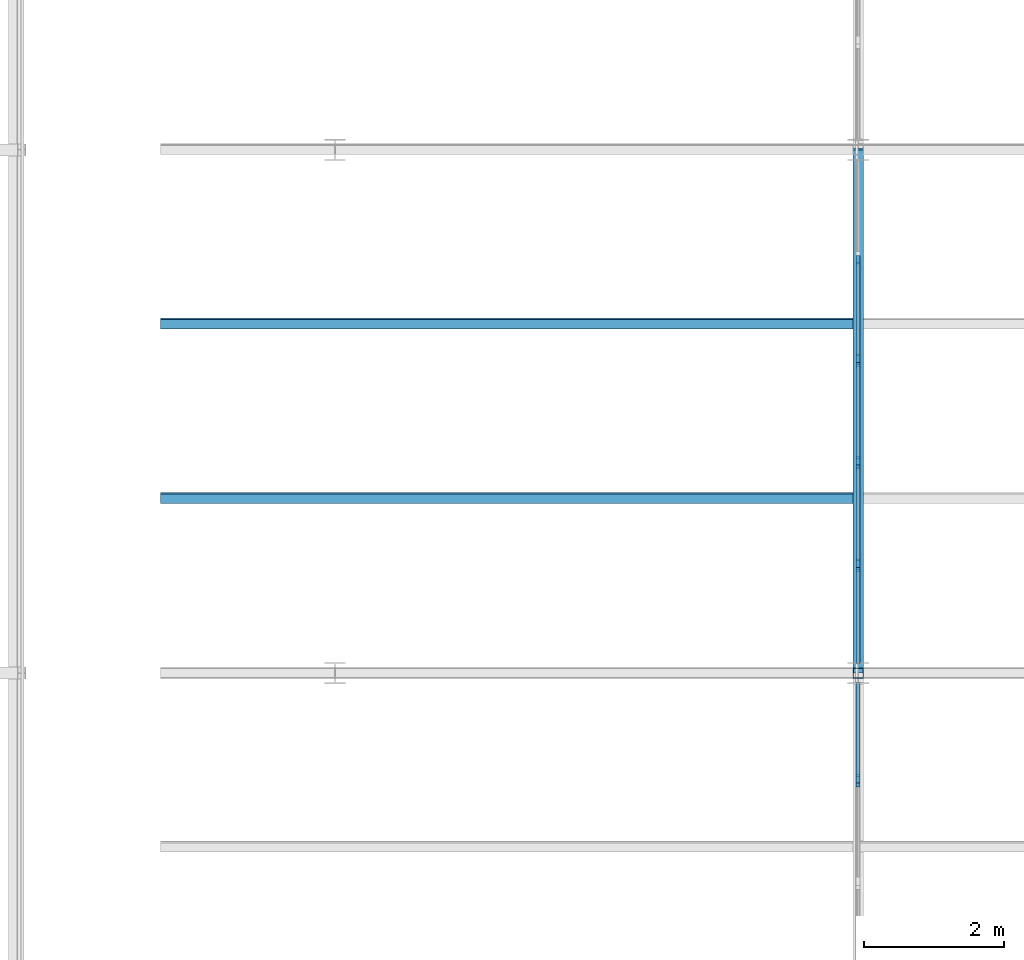
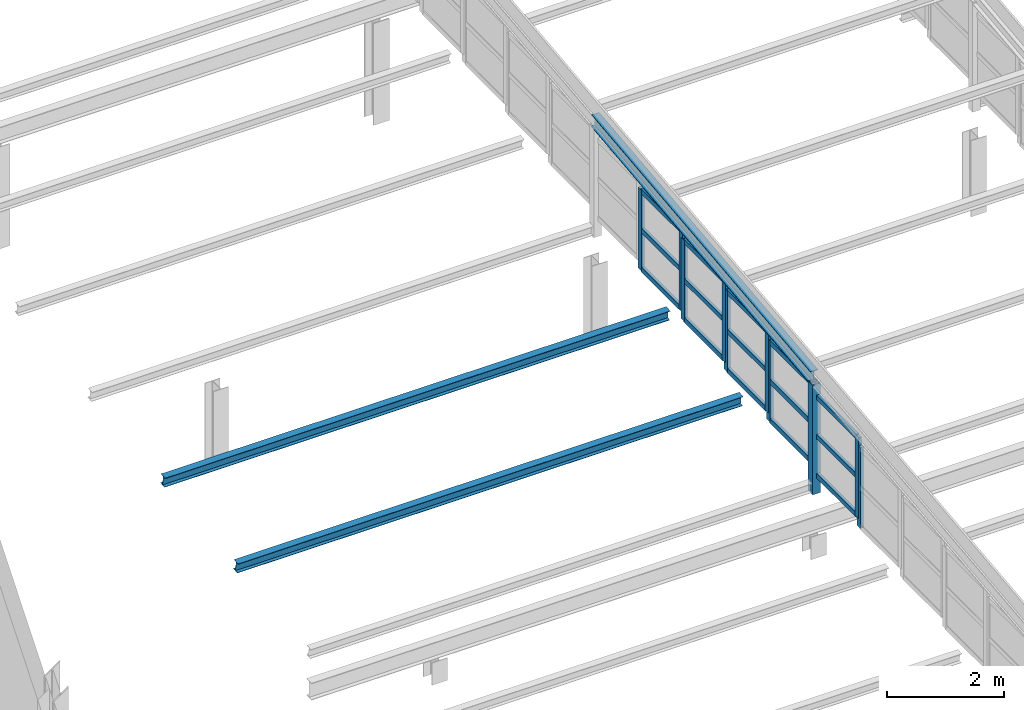
# One storey, part 54 of 483: 27 members, 1 beam, 6 elements without a shape of their own.
"""IFC4 building model written with IfcOpenShell, lengths in metres."""

import ifcopenshell
import ifcopenshell.guid

model = None  # the IFC model being written
_history = None  # IfcOwnerHistory: only IFC2X3 demands one
_inside = {}  # id of a spatial element -> (the spatial element, [elements in it])
_under = {}  # id of a project, library or spatial element -> (it, [spatial elements below it])
_declared = {}  # id of a project -> (the project, [libraries it declares])
_typed = {}  # id of a type object -> (the type object, [elements of that type])
_made_of = {}  # id of a material, layer set ... -> (it, [elements and type objects made of it])


def new_model(schema):
    """Start an empty IFC model of exactly this schema.

    Asked for "IFC4X3", IfcOpenShell would pick the latest addendum, in which some entities
    have other attributes; the version numbers below select the first issue.
    IFC2X3 requires an IfcOwnerHistory on every rooted entity: one is made here for all.
    """
    global model, _history
    if schema == "IFC4X3":
        model = ifcopenshell.file(schema_version=(4, 3, 0, 0))
    else:
        model = ifcopenshell.file(schema=schema)
    _inside.clear()
    _under.clear()
    _declared.clear()
    _typed.clear()
    _made_of.clear()
    _history = None
    if model.schema == "IFC2X3":
        org = make("IfcOrganization", Name="unknown")
        user = make(
            "IfcPersonAndOrganization",
            ThePerson=make("IfcPerson", FamilyName="unknown"),
            TheOrganization=org,
        )
        app = make(
            "IfcApplication",
            ApplicationDeveloper=org,
            Version="unknown",
            ApplicationFullName="unknown",
            ApplicationIdentifier="unknown",
        )
        _history = make(
            "IfcOwnerHistory",
            OwningUser=user,
            OwningApplication=app,
            ChangeAction="ADDED",
            CreationDate=0,
        )
    return model


def make(cls, **values):
    """One entity of the class cls with the attributes given. An attribute that is None is left unset."""
    return model.create_entity(
        cls, **{name: value for name, value in values.items() if value is not None}
    )


def rooted(cls, **values):
    """An entity with a GlobalId (a new one), such as an element, a storey or a relation."""
    return make(cls, GlobalId=ifcopenshell.guid.new(), OwnerHistory=_history, **values)


def si_unit(unit_type, name, prefix=None):
    """IfcSIUnit, for example si_unit("LENGTHUNIT", "METRE", prefix="MILLI")."""
    return make("IfcSIUnit", UnitType=unit_type, Prefix=prefix, Name=name)


def assignment(units):
    """IfcUnitAssignment: the units of a project."""
    return None if units is None else make("IfcUnitAssignment", Units=units)


def point(xyz):
    """IfcCartesianPoint."""
    return None if xyz is None else make("IfcCartesianPoint", Coordinates=xyz)


def direction(xyz):
    """IfcDirection."""
    return None if xyz is None else make("IfcDirection", DirectionRatios=xyz)


def frame(location, z_axis=None, x_axis=None):
    """IfcAxis2Placement3D, a coordinate frame: its origin and axes. An axis left out is left unset."""
    return make(
        "IfcAxis2Placement3D",
        Location=point(location),
        Axis=direction(z_axis),
        RefDirection=direction(x_axis),
    )


def frame_2d(location, x_axis=None):
    """IfcAxis2Placement2D, a coordinate frame in the plane: its origin and x axis."""
    return make(
        "IfcAxis2Placement2D", Location=point(location), RefDirection=direction(x_axis)
    )


def origin():
    """The frame at (0, 0, 0) with its axes left unset."""
    return frame((0.0, 0.0, 0.0))


def origin_2d():
    """The frame at (0, 0) in the plane with its x axis left unset."""
    return frame_2d((0.0, 0.0))


def place(relative_to, where):
    """IfcLocalPlacement: puts the frame where relative to a parent placement (None: the world)."""
    return make(
        "IfcLocalPlacement", PlacementRelTo=relative_to, RelativePlacement=where
    )


def context(
    kind, dimensions, precision=None, world=None, true_north=None, identifier=None
):
    """IfcGeometricRepresentationContext, for example the 3D "Model" context."""
    return make(
        "IfcGeometricRepresentationContext",
        ContextIdentifier=identifier,
        ContextType=kind,
        CoordinateSpaceDimension=dimensions,
        Precision=precision,
        WorldCoordinateSystem=world,
        TrueNorth=true_north,
    )


def subcontext(parent, identifier, kind, view, scale=None):
    """IfcGeometricRepresentationSubContext, for example "Body" below "Model"."""
    return make(
        "IfcGeometricRepresentationSubContext",
        ContextIdentifier=identifier,
        ContextType=kind,
        ParentContext=parent,
        TargetScale=scale,
        TargetView=view,
    )


def project(units=None, contexts=None):
    """IfcProject with its units and contexts."""
    return rooted(
        "IfcProject",
        Name="project",
        RepresentationContexts=contexts,
        UnitsInContext=assignment(units),
    )


def spatial(cls, under=None, at=None, **own):
    """A site, building, storey or space (cls), placed at a placement, below another one or the project."""
    s = rooted(cls, ObjectPlacement=at, **own)
    if under is not None:
        _under.setdefault(under.id(), (under, []))[1].append(s)
    return s


def profile(cls, at=None, kind="AREA", **sizes):
    """A parametric profile (cls). Its sizes go by their IFC names, for example OverallWidth=200.0."""
    return make(cls, ProfileType=kind, Position=at, **sizes)


def rectangle(**sizes):
    """IfcRectangleProfileDef."""
    return profile("IfcRectangleProfileDef", **sizes)


def hollow_rectangle(**sizes):
    """IfcRectangleHollowProfileDef."""
    return profile("IfcRectangleHollowProfileDef", **sizes)


def i_section(**sizes):
    """IfcIShapeProfileDef."""
    return profile("IfcIShapeProfileDef", **sizes)


def extrude(swept, where, along, depth):
    """IfcExtrudedAreaSolid: the profile swept, set in the frame where, extruded along a direction by depth."""
    return make(
        "IfcExtrudedAreaSolid",
        SweptArea=swept,
        Position=where,
        ExtrudedDirection=direction(along),
        Depth=depth,
    )


def shape(context_of_items, identifier, shape_type, items):
    """IfcShapeRepresentation: the items that make up one representation, for example the "Body"."""
    return make(
        "IfcShapeRepresentation",
        ContextOfItems=context_of_items,
        RepresentationIdentifier=identifier,
        RepresentationType=shape_type,
        Items=items,
    )


def material(Name=None, Category=None):
    """IfcMaterial."""
    return make("IfcMaterial", Name=Name, Category=Category)


def material_profile(
    of_material, cross_section, Name=None, Category=None, Priority=None
):
    """IfcMaterialProfile: a cross section and its material."""
    return make(
        "IfcMaterialProfile",
        Name=Name,
        Material=of_material,
        Profile=cross_section,
        Priority=Priority,
        Category=Category,
    )


def profile_set(profiles, Name=None, composite=None):
    """IfcMaterialProfileSet."""
    return make(
        "IfcMaterialProfileSet",
        Name=Name,
        MaterialProfiles=profiles,
        CompositeProfile=composite,
    )


def made_of(thing, what):
    """Note that an element or type object is made of a material, layer set ...; save() writes the relation."""
    if what is not None:
        _made_of.setdefault(what.id(), (what, []))[1].append(thing)
    return thing


def type_object(cls, material=None, **own):
    """A type object (cls), such as IfcWallType, which elements share."""
    return made_of(rooted(cls, **own), material)


def element(
    cls,
    number,
    at=None,
    inside=None,
    cuts=None,
    type_object=None,
    material=None,
    context=None,
    identifier="Body",
    shape_type=None,
    held_by="IfcProductDefinitionShape",
    body=None,
    shapes=None,
    **own,
):
    """One element of the class cls, such as IfcWall. Its Tag is "e" and its number.

    at: its placement. inside: the storey or other place that contains it. cuts: it is an
    opening in that element (IfcRelVoidsElement). A single representation is given by context,
    identifier, shape_type and body (its items); several are given by shapes. held_by: the class
    of the entity that holds the representations. save() writes the other relations.
    """
    e = rooted(cls, Tag="e%d" % number, ObjectPlacement=at, **own)
    if body is not None:
        shapes = [shape(context, identifier, shape_type, body)]
    if shapes is not None:
        e.Representation = make(held_by, Representations=shapes)
    if inside is not None:
        _inside.setdefault(inside.id(), (inside, []))[1].append(e)
    if cuts is not None:
        rooted(
            "IfcRelVoidsElement", RelatingBuildingElement=cuts, RelatedOpeningElement=e
        )
    if type_object is not None:
        _typed.setdefault(type_object.id(), (type_object, []))[1].append(e)
    return made_of(e, material)


def aggregate(whole, parts):
    """IfcRelAggregates: a whole, such as a stair, and the parts it consists of."""
    return rooted("IfcRelAggregates", RelatingObject=whole, RelatedObjects=parts)


def save(model, path):
    """Write the relations noted so far, then the file.

    IfcRelAggregates (storeys below a building ...), IfcRelContainedInSpatialStructure (elements
    in a storey), IfcRelDefinesByType, IfcRelAssociatesMaterial and IfcRelDeclares: one each for
    every whole, place, type object, material and project.
    """
    for whole, parts in _under.values():
        aggregate(whole, parts)
    for where, things in _inside.values():
        rooted(
            "IfcRelContainedInSpatialStructure",
            RelatedElements=things,
            RelatingStructure=where,
        )
    for kind, things in _typed.values():
        rooted("IfcRelDefinesByType", RelatedObjects=things, RelatingType=kind)
    for what, things in _made_of.values():
        rooted("IfcRelAssociatesMaterial", RelatedObjects=things, RelatingMaterial=what)
    for by, libraries in _declared.values():
        rooted("IfcRelDeclares", RelatingContext=by, RelatedDefinitions=libraries)
    model.write(path)


model = new_model("IFC4")

# Units and contexts
model_context = context("Model", 3, precision=1e-05, world=origin(), true_north=direction((0.0, 1.0)))
body_context = subcontext(model_context, "Body", "Model", "MODEL_VIEW")
ifc_project = project(units=[si_unit("LENGTHUNIT", "METRE"), si_unit("AREAUNIT", "SQUARE_METRE"), si_unit("VOLUMEUNIT", "CUBIC_METRE"), si_unit("PLANEANGLEUNIT", "RADIAN"), si_unit("MASSUNIT", "GRAM", prefix="KILO")], contexts=[model_context])

# Site, building, storey
site_placement = place(None, origin())
site = spatial("IfcSite", under=ifc_project, at=site_placement, CompositionType="ELEMENT")
building_placement = place(site_placement, origin())
building = spatial("IfcBuilding", under=site, at=building_placement, Name="Parallax Yard Mobility Hub", CompositionType="ELEMENT")
storey_placement = place(building_placement, frame((0.0, 0.0, 13.199951171875)))
storey = spatial("IfcBuildingStorey", under=building, at=storey_placement, Name="L04", CompositionType="ELEMENT", Elevation=13.199951171875)

# Beam
ifc_material_1 = material(Name="Steel ASTM A992", Category="steel")
ifc_material_profile_1 = material_profile(ifc_material_1, i_section(OverallWidth=0.14794921875, OverallDepth=0.26611328125, WebThickness=0.007568359375, FlangeThickness=0.012939453125, at=origin_2d()), Name="W250x45")
ifc_profile_set_1 = profile_set([ifc_material_profile_1], Name="Steel ASTM A992")
beam_type = type_object("IfcBeamType", Name="Monitor girder W250x45", PredefinedType="BEAM", material=ifc_profile_set_1)
beam_placement = place(storey_placement, frame((157.5, 22.5146484375, 3.68310546875), z_axis=(0.0, 0.993884918264, 0.110420873243), x_axis=(-1.0, 0.0, 0.0)))
element("IfcBeam", 1, at=beam_placement, inside=storey, type_object=beam_type, Name="Monitor girder at x 157.5 bay 3", PredefinedType="BEAM", context=body_context, shape_type="SweptSolid", body=[
    extrude(i_section(OverallWidth=0.14794921875, OverallDepth=0.26611328125, WebThickness=0.007568359375, FlangeThickness=0.012939453125, at=origin_2d()), origin(), (0.0, 0.0, 1.0), 7.546142578125),
])

# Member
ifc_material_2 = material(Name="Steel ASTM A500 Gr C", Category="steel")
ifc_material_profile_2 = material_profile(ifc_material_2, hollow_rectangle(XDim=0.15234375, YDim=0.15234375, WallThickness=0.009521484375, at=origin_2d()), Name="HSS152x152x9.5")
ifc_profile_set_2 = profile_set([ifc_material_profile_2], Name="Steel ASTM A500 Gr C")
member_type_1 = type_object("IfcMemberType", Name="Monitor post HSS152x152x9.5", PredefinedType="POST", material=ifc_profile_set_2)
member_1_placement = place(storey_placement, frame((157.5, 22.5, 1.283935546875), z_axis=(0.0, 0.0, 1.0), x_axis=(1.0, 0.0, 0.0)))
element("IfcMember", 2, at=member_1_placement, inside=storey, type_object=member_type_1, Name="Monitor post at x 157.5 y 22.5", PredefinedType="POST", context=body_context, shape_type="SweptSolid", body=[
    extrude(hollow_rectangle(XDim=0.15234375, YDim=0.15234375, WallThickness=0.009521484375, at=origin_2d()), origin(), (0.0, 0.0, 1.0), 2.29541015625),
])

# Curtain wall, member
ifc_material_3 = material(Name="Thermally broken aluminium curtain wall system", Category="aluminium")
curtain_wall_type = type_object("IfcCurtainWallType", Name="Clerestory glazing run 60 x 120 frame", PredefinedType="NOTDEFINED", material=ifc_material_3)
curtain_wall_1_placement = place(storey_placement, origin())
curtain_wall_1 = element("IfcCurtainWall", 3, at=curtain_wall_1_placement, inside=storey, type_object=curtain_wall_type, Name="Clerestory glazing run Bicycle and shared-mobility hall roof step 1 bay 2 level L02", PredefinedType="NOTDEFINED")
ifc_material_4 = material(Name="Extruded aluminium", Category="aluminium")
ifc_material_profile_3 = material_profile(ifc_material_4, rectangle(XDim=0.06005859375, YDim=0.1201171875, at=origin_2d()), Name="Mullion 60 x 120")
ifc_profile_set_3 = profile_set([ifc_material_profile_3], Name="Extruded aluminium")
member_type_2 = type_object("IfcMemberType", Name="Mullion 60 x 120", PredefinedType="MULLION", material=ifc_profile_set_3)
member_2_placement = place(storey_placement, frame((157.5, 20.92431640625, 1.511474609375), z_axis=(0.0, 0.0, 1.0), x_axis=(-1.0, 0.0, 0.0)))
member_2 = element("IfcMember", 4, at=member_2_placement, type_object=member_type_2, Name="CW4 mullion 2", PredefinedType="MULLION", context=body_context, shape_type="SweptSolid", body=[
    extrude(rectangle(XDim=0.06005859375, YDim=0.1201171875, at=origin_2d()), origin(), (0.0, 0.0, 1.0), 1.693359375),
])
aggregate(curtain_wall_1, [member_2])

curtain_wall_2_placement = place(storey_placement, origin())
curtain_wall_2 = element("IfcCurtainWall", 5, at=curtain_wall_2_placement, inside=storey, type_object=curtain_wall_type, Name="Clerestory glazing run Bicycle and shared-mobility hall roof step 1 bay 2 level L02", PredefinedType="NOTDEFINED")
member_3_placement = place(storey_placement, frame((157.5, 20.984375, 1.6748046875), z_axis=(0.0, 0.0, 1.0), x_axis=(-1.0, 0.0, 0.0)))
member_3 = element("IfcMember", 6, at=member_3_placement, type_object=member_type_2, Name="CW4 mullion 1", PredefinedType="MULLION", context=body_context, shape_type="SweptSolid", body=[
    extrude(rectangle(XDim=0.06005859375, YDim=0.1201171875, at=origin_2d()), origin(), (0.0, 0.0, 1.0), 1.696533203125),
])

curtain_wall_3_placement = place(storey_placement, origin())
curtain_wall_3 = element("IfcCurtainWall", 7, at=curtain_wall_3_placement, inside=storey, type_object=curtain_wall_type, Name="Clerestory glazing run Bicycle and shared-mobility hall roof step 1 bay 3 level L02", PredefinedType="NOTDEFINED")
member_4_placement = place(storey_placement, frame((157.5, 24.015625, 1.85498046875), z_axis=(0.0, 0.0, 1.0), x_axis=(-1.0, 0.0, 0.0)))
member_4 = element("IfcMember", 8, at=member_4_placement, type_object=member_type_2, Name="CW4 mullion 2", PredefinedType="MULLION", context=body_context, shape_type="SweptSolid", body=[
    extrude(rectangle(XDim=0.06005859375, YDim=0.1201171875, at=origin_2d()), origin(), (0.0, 0.0, 1.0), 1.6943359375),
])

# Curtain wall, members
curtain_wall_4_placement = place(storey_placement, origin())
curtain_wall_4 = element("IfcCurtainWall", 9, at=curtain_wall_4_placement, inside=storey, type_object=curtain_wall_type, Name="Clerestory glazing run Bicycle and shared-mobility hall roof step 1 bay 3 level L02", PredefinedType="NOTDEFINED")
member_5_placement = place(storey_placement, frame((157.5, 24.07568359375, 2.018310546875), z_axis=(0.0, 0.0, 1.0), x_axis=(-1.0, 0.0, 0.0)))
member_5 = element("IfcMember", 10, at=member_5_placement, type_object=member_type_2, Name="CW4 mullion 1", PredefinedType="MULLION", context=body_context, shape_type="SweptSolid", body=[
    extrude(rectangle(XDim=0.06005859375, YDim=0.1201171875, at=origin_2d()), origin(), (0.0, 0.0, 1.0), 1.697509765625),
])
member_6_placement = place(storey_placement, frame((157.5, 25.485107421875, 2.018310546875), z_axis=(0.0, 0.0, 1.0), x_axis=(-1.0, 0.0, 0.0)))
member_6 = element("IfcMember", 11, at=member_6_placement, type_object=member_type_2, Name="CW4 mullion 2", PredefinedType="MULLION", context=body_context, shape_type="SweptSolid", body=[
    extrude(rectangle(XDim=0.06005859375, YDim=0.1201171875, at=origin_2d()), origin(), (0.0, 0.0, 1.0), 1.697509765625),
])

curtain_wall_5_placement = place(storey_placement, origin())
curtain_wall_5 = element("IfcCurtainWall", 12, at=curtain_wall_5_placement, inside=storey, type_object=curtain_wall_type, Name="Clerestory glazing run Bicycle and shared-mobility hall roof step 1 bay 3 level L02", PredefinedType="NOTDEFINED")
member_7_placement = place(storey_placement, frame((157.5, 25.545166015625, 2.181640625), z_axis=(0.0, 0.0, 1.0), x_axis=(-1.0, 0.0, 0.0)))
member_7 = element("IfcMember", 13, at=member_7_placement, type_object=member_type_2, Name="CW4 mullion 1", PredefinedType="MULLION", context=body_context, shape_type="SweptSolid", body=[
    extrude(rectangle(XDim=0.06005859375, YDim=0.1201171875, at=origin_2d()), origin(), (0.0, 0.0, 1.0), 1.700927734375),
])
member_8_placement = place(storey_placement, frame((157.5, 26.954833984375, 2.181640625), z_axis=(0.0, 0.0, 1.0), x_axis=(-1.0, 0.0, 0.0)))
member_8 = element("IfcMember", 14, at=member_8_placement, type_object=member_type_2, Name="CW4 mullion 2", PredefinedType="MULLION", context=body_context, shape_type="SweptSolid", body=[
    extrude(rectangle(XDim=0.06005859375, YDim=0.1201171875, at=origin_2d()), origin(), (0.0, 0.0, 1.0), 1.700927734375),
])

curtain_wall_6_placement = place(storey_placement, origin())
curtain_wall_6 = element("IfcCurtainWall", 15, at=curtain_wall_6_placement, inside=storey, type_object=curtain_wall_type, Name="Clerestory glazing run Bicycle and shared-mobility hall roof step 1 bay 3 level L02", PredefinedType="NOTDEFINED")
member_9_placement = place(storey_placement, frame((157.5, 27.014892578125, 2.344970703125), z_axis=(0.0, 0.0, 1.0), x_axis=(-1.0, 0.0, 0.0)))
member_9 = element("IfcMember", 16, at=member_9_placement, type_object=member_type_2, Name="CW4 mullion 1", PredefinedType="MULLION", context=body_context, shape_type="SweptSolid", body=[
    extrude(rectangle(XDim=0.06005859375, YDim=0.1201171875, at=origin_2d()), origin(), (0.0, 0.0, 1.0), 1.693115234375),
])
member_10_placement = place(storey_placement, frame((157.5, 28.42431640625, 2.344970703125), z_axis=(0.0, 0.0, 1.0), x_axis=(-1.0, 0.0, 0.0)))
member_10 = element("IfcMember", 17, at=member_10_placement, type_object=member_type_2, Name="CW4 mullion 2", PredefinedType="MULLION", context=body_context, shape_type="SweptSolid", body=[
    extrude(rectangle(XDim=0.06005859375, YDim=0.1201171875, at=origin_2d()), origin(), (0.0, 0.0, 1.0), 1.693115234375),
])

# Members
ifc_material_profile_4 = material_profile(ifc_material_1, i_section(OverallWidth=0.133056640625, OverallDepth=0.20703125, WebThickness=0.005859375, FlangeThickness=0.00830078125, at=origin_2d()), Name="W200x27")
ifc_profile_set_4 = profile_set([ifc_material_profile_4], Name="Steel ASTM A992")
member_type_3 = type_object("IfcMemberType", Name="Roof purlin W200x27", PredefinedType="PURLIN", material=ifc_profile_set_4)
for number, where, z_axis, x_axis, name in (
    (18, (147.5, 25.011474609375, 1.697265625), (1.0, 0.0, 0.0), (0.0, 0.993883718765, 0.110431669255), "Roof purlin west of the monitor at y 25"),
    (19, (147.5, 27.511474609375, 1.974853515625), (1.0, 0.0, 0.0), (0.0, 0.993883718765, 0.110431669255), "Roof purlin west of the monitor at y 27.5"),
):
    element("IfcMember", number, at=place(storey_placement, frame(where, z_axis=z_axis, x_axis=x_axis)), inside=storey, type_object=member_type_3, Name=name, PredefinedType="PURLIN", context=body_context, shape_type="SweptSolid", body=[
        extrude(i_section(OverallWidth=0.133056640625, OverallDepth=0.20703125, WebThickness=0.005859375, FlangeThickness=0.00830078125, at=origin_2d()), origin(), (0.0, 0.0, 1.0), 10.0),
    ])

# Member
ifc_material_profile_5 = material_profile(ifc_material_4, rectangle(XDim=0.06005859375, YDim=0.10009765625, at=origin_2d()), Name="Transom 60 x 100")
ifc_profile_set_5 = profile_set([ifc_material_profile_5], Name="Extruded aluminium")
member_type_4 = type_object("IfcMemberType", Name="Transom 60 x 100", PredefinedType="USERDEFINED", material=ifc_profile_set_5)
member_11_placement = place(storey_placement, frame((157.5, 21.014404296875, 1.704833984375), z_axis=(0.0, 1.0, 0.0), x_axis=(-1.0, 0.0, 0.0)))
member_11 = element("IfcMember", 20, at=member_11_placement, type_object=member_type_4, Name="CW4 transom 1.1", ObjectType="TRANSOM", PredefinedType="USERDEFINED", context=body_context, shape_type="SweptSolid", body=[
    extrude(rectangle(XDim=0.06005859375, YDim=0.10009765625, at=origin_2d()), origin(), (0.0, 0.0, 1.0), 1.349365234375),
])

member_12_placement = place(storey_placement, frame((157.5, 21.014404296875, 2.523193359375), z_axis=(0.0, 1.0, 0.0), x_axis=(-1.0, 0.0, 0.0)))
member_12 = element("IfcMember", 21, at=member_12_placement, type_object=member_type_4, Name="CW4 transom 1.2", ObjectType="TRANSOM", PredefinedType="USERDEFINED", context=body_context, shape_type="SweptSolid", body=[
    extrude(rectangle(XDim=0.06005859375, YDim=0.10009765625, at=origin_2d()), origin(), (0.0, 0.0, 1.0), 1.349365234375),
])

member_13_placement = place(storey_placement, frame((157.5, 21.014404296875, 3.341552734375), z_axis=(0.0, 1.0, 0.0), x_axis=(-1.0, 0.0, 0.0)))
member_13 = element("IfcMember", 22, at=member_13_placement, type_object=member_type_4, Name="CW4 transom 1.3", ObjectType="TRANSOM", PredefinedType="USERDEFINED", context=body_context, shape_type="SweptSolid", body=[
    extrude(rectangle(XDim=0.06005859375, YDim=0.10009765625, at=origin_2d()), origin(), (0.0, 0.0, 1.0), 1.349365234375),
])

aggregate(curtain_wall_2, [member_3, member_11, member_12, member_13])

member_14_placement = place(storey_placement, frame((157.5, 22.63623046875, 1.885009765625), z_axis=(0.0, 1.0, 0.0), x_axis=(-1.0, 0.0, 0.0)))
member_14 = element("IfcMember", 23, at=member_14_placement, type_object=member_type_4, Name="CW4 transom 1.1", ObjectType="TRANSOM", PredefinedType="USERDEFINED", context=body_context, shape_type="SweptSolid", body=[
    extrude(rectangle(XDim=0.06005859375, YDim=0.10009765625, at=origin_2d()), origin(), (0.0, 0.0, 1.0), 1.349365234375),
])

member_15_placement = place(storey_placement, frame((157.5, 22.63623046875, 2.7021484375), z_axis=(0.0, 1.0, 0.0), x_axis=(-1.0, 0.0, 0.0)))
member_15 = element("IfcMember", 24, at=member_15_placement, type_object=member_type_4, Name="CW4 transom 1.2", ObjectType="TRANSOM", PredefinedType="USERDEFINED", context=body_context, shape_type="SweptSolid", body=[
    extrude(rectangle(XDim=0.06005859375, YDim=0.10009765625, at=origin_2d()), origin(), (0.0, 0.0, 1.0), 1.349365234375),
])

member_16_placement = place(storey_placement, frame((157.5, 22.63623046875, 3.519287109375), z_axis=(0.0, 1.0, 0.0), x_axis=(-1.0, 0.0, 0.0)))
member_16 = element("IfcMember", 25, at=member_16_placement, type_object=member_type_4, Name="CW4 transom 1.3", ObjectType="TRANSOM", PredefinedType="USERDEFINED", context=body_context, shape_type="SweptSolid", body=[
    extrude(rectangle(XDim=0.06005859375, YDim=0.10009765625, at=origin_2d()), origin(), (0.0, 0.0, 1.0), 1.349365234375),
])

aggregate(curtain_wall_3, [member_4, member_14, member_15, member_16])

member_17_placement = place(storey_placement, frame((157.5, 24.105712890625, 2.04833984375), z_axis=(0.0, 1.0, 0.0), x_axis=(-1.0, 0.0, 0.0)))
member_17 = element("IfcMember", 26, at=member_17_placement, type_object=member_type_4, Name="CW4 transom 1.1", ObjectType="TRANSOM", PredefinedType="USERDEFINED", context=body_context, shape_type="SweptSolid", body=[
    extrude(rectangle(XDim=0.06005859375, YDim=0.10009765625, at=origin_2d()), origin(), (0.0, 0.0, 1.0), 1.349365234375),
])

member_18_placement = place(storey_placement, frame((157.5, 24.105712890625, 2.866943359375), z_axis=(0.0, 1.0, 0.0), x_axis=(-1.0, 0.0, 0.0)))
member_18 = element("IfcMember", 27, at=member_18_placement, type_object=member_type_4, Name="CW4 transom 1.2", ObjectType="TRANSOM", PredefinedType="USERDEFINED", context=body_context, shape_type="SweptSolid", body=[
    extrude(rectangle(XDim=0.06005859375, YDim=0.10009765625, at=origin_2d()), origin(), (0.0, 0.0, 1.0), 1.349365234375),
])

member_19_placement = place(storey_placement, frame((157.5, 24.105712890625, 3.685791015625), z_axis=(0.0, 1.0, 0.0), x_axis=(-1.0, 0.0, 0.0)))
member_19 = element("IfcMember", 28, at=member_19_placement, type_object=member_type_4, Name="CW4 transom 1.3", ObjectType="TRANSOM", PredefinedType="USERDEFINED", context=body_context, shape_type="SweptSolid", body=[
    extrude(rectangle(XDim=0.06005859375, YDim=0.10009765625, at=origin_2d()), origin(), (0.0, 0.0, 1.0), 1.349365234375),
])

aggregate(curtain_wall_4, [member_5, member_6, member_17, member_18, member_19])

member_20_placement = place(storey_placement, frame((157.5, 25.5751953125, 2.211669921875), z_axis=(0.0, 1.0, 0.0), x_axis=(-1.0, 0.0, 0.0)))
member_20 = element("IfcMember", 29, at=member_20_placement, type_object=member_type_4, Name="CW4 transom 1.1", ObjectType="TRANSOM", PredefinedType="USERDEFINED", context=body_context, shape_type="SweptSolid", body=[
    extrude(rectangle(XDim=0.06005859375, YDim=0.10009765625, at=origin_2d()), origin(), (0.0, 0.0, 1.0), 1.349609375),
])

member_21_placement = place(storey_placement, frame((157.5, 25.5751953125, 3.031982421875), z_axis=(0.0, 1.0, 0.0), x_axis=(-1.0, 0.0, 0.0)))
member_21 = element("IfcMember", 30, at=member_21_placement, type_object=member_type_4, Name="CW4 transom 1.2", ObjectType="TRANSOM", PredefinedType="USERDEFINED", context=body_context, shape_type="SweptSolid", body=[
    extrude(rectangle(XDim=0.06005859375, YDim=0.10009765625, at=origin_2d()), origin(), (0.0, 0.0, 1.0), 1.349609375),
])

member_22_placement = place(storey_placement, frame((157.5, 25.5751953125, 3.8525390625), z_axis=(0.0, 1.0, 0.0), x_axis=(-1.0, 0.0, 0.0)))
member_22 = element("IfcMember", 31, at=member_22_placement, type_object=member_type_4, Name="CW4 transom 1.3", ObjectType="TRANSOM", PredefinedType="USERDEFINED", context=body_context, shape_type="SweptSolid", body=[
    extrude(rectangle(XDim=0.06005859375, YDim=0.10009765625, at=origin_2d()), origin(), (0.0, 0.0, 1.0), 1.349609375),
])

aggregate(curtain_wall_5, [member_7, member_8, member_20, member_21, member_22])

member_23_placement = place(storey_placement, frame((157.5, 27.044921875, 2.374755859375), z_axis=(0.0, 1.0, 0.0), x_axis=(-1.0, 0.0, 0.0)))
member_23 = element("IfcMember", 32, at=member_23_placement, type_object=member_type_4, Name="CW4 transom 1.1", ObjectType="TRANSOM", PredefinedType="USERDEFINED", context=body_context, shape_type="SweptSolid", body=[
    extrude(rectangle(XDim=0.06005859375, YDim=0.10009765625, at=origin_2d()), origin(), (0.0, 0.0, 1.0), 1.349365234375),
])

member_24_placement = place(storey_placement, frame((157.5, 27.044921875, 3.19140625), z_axis=(0.0, 1.0, 0.0), x_axis=(-1.0, 0.0, 0.0)))
member_24 = element("IfcMember", 33, at=member_24_placement, type_object=member_type_4, Name="CW4 transom 1.2", ObjectType="TRANSOM", PredefinedType="USERDEFINED", context=body_context, shape_type="SweptSolid", body=[
    extrude(rectangle(XDim=0.06005859375, YDim=0.10009765625, at=origin_2d()), origin(), (0.0, 0.0, 1.0), 1.349365234375),
])

member_25_placement = place(storey_placement, frame((157.5, 27.044921875, 4.008056640625), z_axis=(0.0, 1.0, 0.0), x_axis=(-1.0, 0.0, 0.0)))
member_25 = element("IfcMember", 34, at=member_25_placement, type_object=member_type_4, Name="CW4 transom 1.3", ObjectType="TRANSOM", PredefinedType="USERDEFINED", context=body_context, shape_type="SweptSolid", body=[
    extrude(rectangle(XDim=0.06005859375, YDim=0.10009765625, at=origin_2d()), origin(), (0.0, 0.0, 1.0), 1.349365234375),
])

aggregate(curtain_wall_6, [member_9, member_10, member_23, member_24, member_25])

save(model, "model.ifc")
